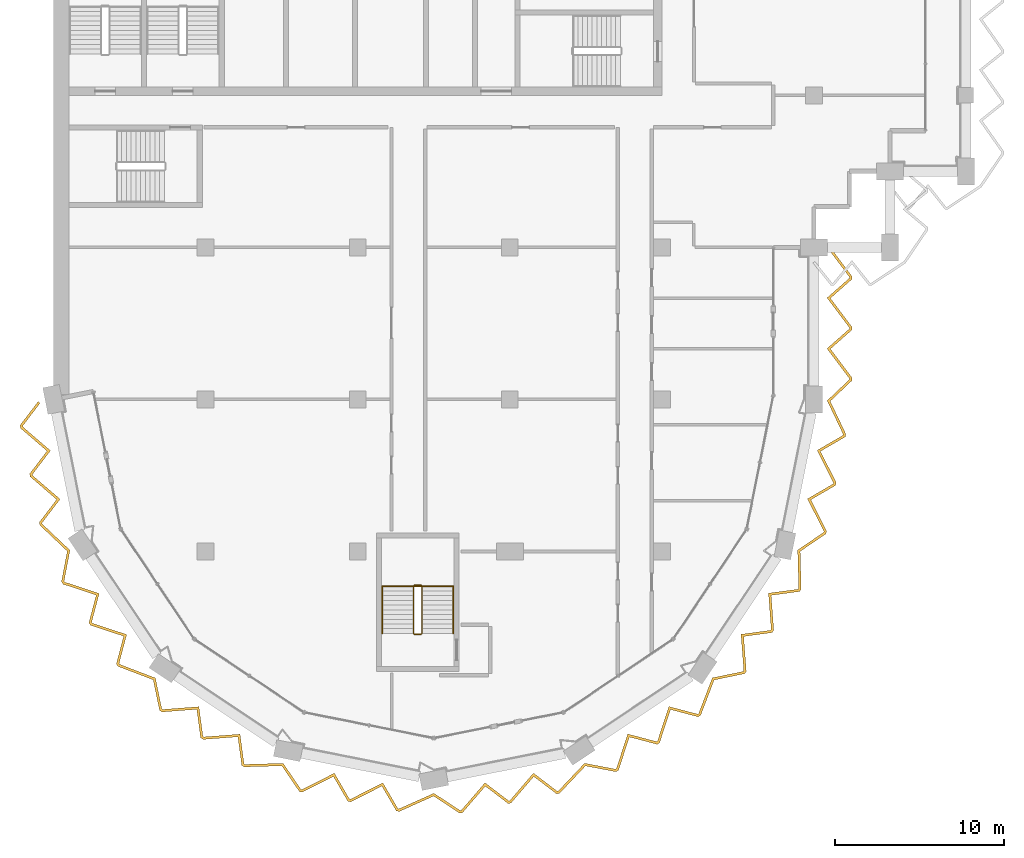
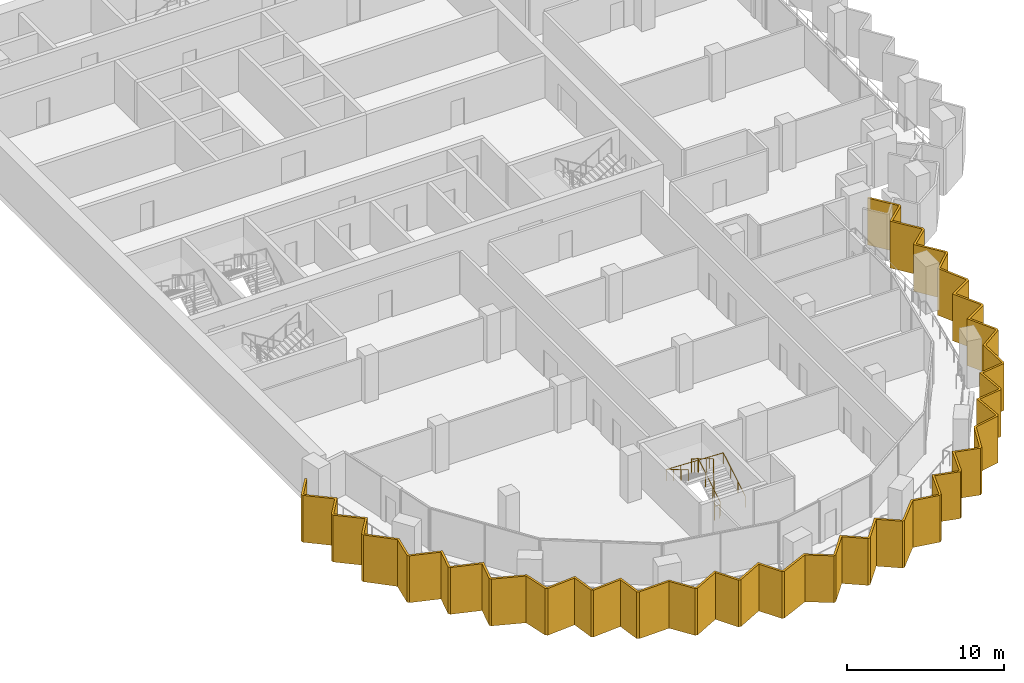
# One storey, part 13 of 16: 2 railings, 1 shading device.
"""IFC4 building model written with IfcOpenShell, lengths in metres."""

from ifc_helpers import new_model, si_unit, direction, frame, origin, origin_2d, place, context, subcontext, project, spatial, polyline, circle, outline, extrude, material, layer, layer_set, type_object, element, save


model = new_model("IFC4")

# Units and contexts
model_context = context("Model", 3, precision=1e-05, world=origin(), true_north=direction((0.0, 1.0)))
body_context = subcontext(model_context, "Body", "Model", "MODEL_VIEW")
ifc_project = project(units=[si_unit("LENGTHUNIT", "METRE"), si_unit("AREAUNIT", "SQUARE_METRE"), si_unit("VOLUMEUNIT", "CUBIC_METRE"), si_unit("PLANEANGLEUNIT", "RADIAN"), si_unit("MASSUNIT", "GRAM", prefix="KILO")], contexts=[model_context])

# Site, building, storey
site_placement = place(None, origin())
site = spatial("IfcSite", under=ifc_project, at=site_placement, CompositionType="ELEMENT")
building_placement = place(site_placement, origin())
building = spatial("IfcBuilding", under=site, at=building_placement, Name="Hunhe Ridgeline Campus", CompositionType="ELEMENT")
storey_placement = place(building_placement, frame((0.0, 0.0, 257.699951171875)))
storey = spatial("IfcBuildingStorey", under=building, at=storey_placement, Name="L66", CompositionType="ELEMENT", Elevation=257.699951171875)

# Shading device
ifc_material_1 = material(Name="Concrete C50", Category="concrete")
ifc_layer = layer(ifc_material_1, 0.14990234375)
ifc_layer_set = layer_set([ifc_layer], Name="Sawtooth concrete fin 150 Concrete C50")
shading_device_type = type_object("IfcShadingDeviceType", Name="Sawtooth concrete fin 150 Concrete C50", PredefinedType="USERDEFINED", material=ifc_layer_set)
shading_device_placement = place(storey_placement, frame((0.0, 0.0, -0.949951171875)))
element("IfcShadingDevice", 1, at=shading_device_placement, inside=storey, type_object=shading_device_type, Name="Concrete fin screen 1", ObjectType="FIN", PredefinedType="USERDEFINED", context=body_context, shape_type="SweptSolid", body=[
    extrude(outline(polyline([(-0.798583984375, 44.783935546875), (-0.917724609375, 44.874755859375), (-1.989501953125, 43.46923828125), (-1.95458984375, 43.29296875), (-0.389892578125, 41.948486328125), (-1.418701171875, 40.59912109375), (-1.383544921875, 40.4228515625), (0.18115234375, 39.078369140625), (-0.84765625, 37.72900390625), (-0.81298828125, 37.5546875), (0.80712890625, 36.02197265625), (0.462158203125, 34.21142578125), (0.560302734375, 34.064453125), (2.520263671875, 33.421142578125), (2.086181640625, 31.78076171875), (2.18603515625, 31.63134765625), (4.146240234375, 30.988037109375), (3.7119140625, 29.34765625), (3.810791015625, 29.19970703125), (5.89404296875, 28.40380859375), (6.268310546875, 26.59912109375), (6.4150390625, 26.5009765625), (8.47216796875, 26.65673828125), (8.698974609375, 24.97509765625), (8.848388671875, 24.875244140625), (10.905517578125, 25.03076171875), (11.132080078125, 23.34912109375), (11.27978515625, 23.25048828125), (13.50927734375, 23.312255859375), (14.545654296875, 21.7880859375), (14.71875, 21.753662109375), (16.559814453125, 22.684814453125), (17.41259765625, 21.2177734375), (17.5888671875, 21.182861328125), (19.429931640625, 22.11376953125), (20.28271484375, 20.64697265625), (20.45703125, 20.6123046875), (22.4931640625, 21.522705078125), (24.033935546875, 20.510986328125), (24.20703125, 20.54541015625), (25.551513671875, 22.110107421875), (26.90087890625, 21.081298828125), (27.0771484375, 21.116455078125), (28.421630859375, 22.68115234375), (29.77099609375, 21.65234375), (29.9453125, 21.68701171875), (31.47802734375, 23.30712890625), (33.28857421875, 22.962158203125), (33.435546875, 23.060302734375), (34.078857421875, 25.020263671875), (35.71923828125, 24.586181640625), (35.86865234375, 24.68603515625), (36.511962890625, 26.646240234375), (38.15234375, 26.2119140625), (38.30029296875, 26.310791015625), (39.09619140625, 28.39404296875), (40.90087890625, 28.768310546875), (40.9990234375, 28.9150390625), (40.84326171875, 30.97216796875), (42.52490234375, 31.198974609375), (42.624755859375, 31.348388671875), (42.46923828125, 33.405517578125), (44.15087890625, 33.632080078125), (44.24951171875, 33.77978515625), (44.187744140625, 36.00927734375), (45.7119140625, 37.045654296875), (45.746337890625, 37.21875), (44.815185546875, 39.059814453125), (46.2822265625, 39.91259765625), (46.317138671875, 40.0888671875), (45.38623046875, 41.929931640625), (46.85302734375, 42.78271484375), (46.887939453125, 42.9580078125), (45.966064453125, 44.89697265625), (47.25, 46.114990234375), (47.25, 46.292236328125), (45.9765625, 47.989501953125), (47.25, 49.11328125), (47.25, 49.292236328125), (45.9765625, 50.989501953125), (47.25, 52.11328125), (47.25, 52.292236328125), (45.93505859375, 54.044921875), (45.81494140625, 53.955078125), (47.10009765625, 52.2421875), (47.10009765625, 52.180908203125), (45.7734375, 51.010498046875), (47.10009765625, 49.2421875), (47.10009765625, 49.180908203125), (45.7734375, 48.010498046875), (47.10009765625, 46.2421875), (47.10009765625, 46.179443359375), (45.783935546875, 44.9306640625), (46.731201171875, 42.9384765625), (46.71923828125, 42.87841796875), (45.1884765625, 41.988525390625), (46.159912109375, 40.0673828125), (46.148193359375, 40.00830078125), (44.617431640625, 39.118408203125), (45.589111328125, 37.197265625), (45.57666015625, 37.135009765625), (44.035400390625, 36.087158203125), (44.098388671875, 33.823486328125), (44.063720703125, 33.771728515625), (42.308837890625, 33.53515625), (42.471435546875, 31.388671875), (42.43798828125, 31.338623046875), (40.68310546875, 31.10205078125), (40.845458984375, 28.95556640625), (40.810302734375, 28.90283203125), (38.9853515625, 28.5244140625), (38.177001953125, 26.408935546875), (38.125244140625, 26.374267578125), (36.41357421875, 26.827392578125), (35.7421875, 24.781982421875), (35.692138671875, 24.74853515625), (33.98046875, 25.20166015625), (33.30908203125, 23.15625), (33.25634765625, 23.12109375), (31.425537109375, 23.4697265625), (29.869384765625, 21.82470703125), (29.80810546875, 21.8125), (28.400146484375, 22.88623046875), (26.997314453125, 21.25341796875), (26.93798828125, 21.24169921875), (25.530029296875, 22.315185546875), (24.126953125, 20.6826171875), (24.06494140625, 20.670166015625), (22.5068359375, 21.693115234375), (20.439453125, 20.768798828125), (20.37841796875, 20.78076171875), (19.488525390625, 22.3115234375), (17.5673828125, 21.340087890625), (17.50830078125, 21.351806640625), (16.618408203125, 22.882568359375), (14.697265625, 21.910888671875), (14.635009765625, 21.92333984375), (13.587158203125, 23.464599609375), (11.323486328125, 23.401611328125), (11.271728515625, 23.436279296875), (11.03515625, 25.191162109375), (8.888671875, 25.028564453125), (8.838623046875, 25.06201171875), (8.60205078125, 26.81689453125), (6.45556640625, 26.654541015625), (6.40283203125, 26.689697265625), (6.0244140625, 28.5146484375), (3.908935546875, 29.322998046875), (3.874267578125, 29.374755859375), (4.327392578125, 31.08642578125), (2.281982421875, 31.7578125), (2.24853515625, 31.807861328125), (2.70166015625, 33.51953125), (0.65625, 34.19091796875), (0.62109375, 34.24365234375), (0.9697265625, 36.074462890625), (-0.67529296875, 37.630615234375), (-0.6875, 37.69189453125), (0.38623046875, 39.099853515625), (-1.24658203125, 40.502685546875), (-1.25830078125, 40.56201171875), (-0.184814453125, 41.969970703125), (-1.8173828125, 43.373046875), (-1.829345703125, 43.43212890625), (-0.798583984375, 44.783935546875)])), origin(), (0.0, 0.0, 1.0), 3.64990234375),
])

# Railings
ifc_material_2 = material(Name="Stainless steel balustrade", Category="steel")
railing_type_1 = type_object("IfcRailingType", Name="Stair guard 1100 stainless", PredefinedType="GUARDRAIL", material=ifc_material_2)
railing_1_placement = place(storey_placement, frame((21.800048828125, 31.14990234375, 0.168212890625)))
element("IfcRailing", 2, at=railing_1_placement, inside=storey, type_object=railing_type_1, Name="L66 stair W3 guard", PredefinedType="GUARDRAIL", context=body_context, shape_type="SweptSolid", body=[
    extrude(circle(Radius=0.02392578125, at=origin_2d()), frame((0.0, 0.0, 1.076171875), z_axis=(0.0, 0.857242210791, 0.514913383045), x_axis=(-1.0, 0.0, 0.0)), (0.0, 0.0, 1.0), 3.266357421875),
    extrude(circle(Radius=0.02392578125, at=origin_2d()), frame((0.0, 2.800048828125, 2.7578125), z_axis=(-0.707106781187, 0.707106781187, 0.0), x_axis=(-0.707106781187, -0.707106781187, 0.0)), (0.0, 0.0, 1.0), 0.07080078125),
    extrude(circle(Radius=0.02392578125, at=origin_2d()), frame((-0.050048828125, 2.85009765625, 2.7578125), z_axis=(-1.0, 0.0, 0.0), x_axis=(0.0, -1.0, 0.0)), (0.0, 0.0, 1.0), 0.39990234375),
    extrude(circle(Radius=0.02392578125, at=origin_2d()), frame((-0.449951171875, 2.85009765625, 2.7578125), z_axis=(-0.274243871929, -0.274243871929, 0.92172696468), x_axis=(0.707106781187, -0.707106781187, 0.0)), (0.0, 0.0, 1.0), 0.1826171875),
    extrude(circle(Radius=0.02392578125, at=origin_2d()), frame((-0.5, 2.800048828125, 2.92626953125), z_axis=(0.0, -0.857275202839, 0.514858452973), x_axis=(1.0, 0.0, 0.0)), (0.0, 0.0, 1.0), 3.26611328125),
    extrude(circle(Radius=0.02392578125, at=origin_2d()), frame((-0.5, 0.0, 4.60791015625), z_axis=(0.013524426427, -0.013458453615, -0.999817963389), x_axis=(0.705375805398, 0.708833529934, 0.0)), (0.0, 0.0, 1.0), 3.70068359375),
    extrude(circle(Radius=0.02392578125, at=origin_2d()), frame((-0.449951171875, -0.0498046875, 0.90771484375), z_axis=(1.0, 0.0, 0.0), x_axis=(0.0, 1.0, 0.0)), (0.0, 0.0, 1.0), 0.39990234375),
    extrude(circle(Radius=0.02099609375, at=origin_2d()), origin(), (0.0, 0.0, 1.0), 1.052001953125),
    extrude(circle(Radius=0.02099609375, at=origin_2d()), frame((0.0, 0.933349609375, 0.560546875)), (0.0, 0.0, 1.0), 1.052001953125),
    extrude(circle(Radius=0.02099609375, at=origin_2d()), frame((0.0, 1.86669921875, 1.121337890625)), (0.0, 0.0, 1.0), 1.052001953125),
    extrude(circle(Radius=0.02099609375, at=origin_2d()), frame((0.0, 2.800048828125, 1.681884765625)), (0.0, 0.0, 1.0), 1.052001953125),
    extrude(circle(Radius=0.02099609375, at=origin_2d()), frame((-0.050048828125, 2.85009765625, 1.681884765625)), (0.0, 0.0, 1.0), 1.052001953125),
    extrude(circle(Radius=0.02099609375, at=origin_2d()), frame((-0.449951171875, 2.85009765625, 1.681884765625)), (0.0, 0.0, 1.0), 1.052001953125),
    extrude(circle(Radius=0.02099609375, at=origin_2d()), frame((-0.5, 2.800048828125, 1.85009765625)), (0.0, 0.0, 1.0), 1.052001953125),
    extrude(circle(Radius=0.02099609375, at=origin_2d()), frame((-0.5, 1.86669921875, 2.41064453125)), (0.0, 0.0, 1.0), 1.052001953125),
    extrude(circle(Radius=0.02099609375, at=origin_2d()), frame((-0.5, 0.933349609375, 2.97119140625)), (0.0, 0.0, 1.0), 1.052001953125),
    extrude(circle(Radius=0.02099609375, at=origin_2d()), frame((-0.5, 0.0, 3.53173828125)), (0.0, 0.0, 1.0), 1.052001953125),
    extrude(circle(Radius=0.02099609375, at=origin_2d()), frame((-0.487548828125, -0.012451171875, 2.606689453125)), (0.0, 0.0, 1.0), 1.052001953125),
    extrude(circle(Radius=0.02099609375, at=origin_2d()), frame((-0.47509765625, -0.02490234375, 1.681640625)), (0.0, 0.0, 1.0), 1.052001953125),
    extrude(circle(Radius=0.02099609375, at=origin_2d()), frame((-0.46240234375, -0.037353515625, 0.7568359375)), (0.0, 0.0, 1.0), 1.052001953125),
    extrude(circle(Radius=0.02099609375, at=origin_2d()), frame((-0.449951171875, -0.0498046875, -0.168212890625)), (0.0, 0.0, 1.0), 1.052001953125),
    extrude(circle(Radius=0.02099609375, at=origin_2d()), frame((-0.050048828125, -0.0498046875, -0.168212890625)), (0.0, 0.0, 1.0), 1.052001953125),
])
ifc_material_3 = material(Name="Stainless steel handrail", Category="steel")
railing_type_2 = type_object("IfcRailingType", Name="Stair handrail 900 stainless", PredefinedType="HANDRAIL", material=ifc_material_3)
railing_2_placement = place(storey_placement, frame((23.64990234375, 31.14990234375, 0.168212890625)))
element("IfcRailing", 3, at=railing_2_placement, inside=storey, type_object=railing_type_2, Name="L66 stair W3 handrail", PredefinedType="HANDRAIL", context=body_context, shape_type="SweptSolid", body=[
    extrude(circle(Radius=0.02392578125, at=origin_2d()), frame((0.0, 0.0, 0.8759765625), z_axis=(0.0, 0.857242210791, 0.514913383045), x_axis=(-1.0, 0.0, 0.0)), (0.0, 0.0, 1.0), 3.266357421875),
    extrude(circle(Radius=0.02392578125, at=origin_2d()), frame((0.0, 2.800048828125, 2.5576171875), z_axis=(-0.999198916169, 0.0, 0.040019069537), x_axis=(0.0, -1.0, 0.0)), (0.0, 0.0, 1.0), 4.203369140625),
    extrude(circle(Radius=0.02392578125, at=origin_2d()), frame((-4.199951171875, 2.800048828125, 2.72607421875), z_axis=(0.0, -0.857275202839, 0.514858452973), x_axis=(1.0, 0.0, 0.0)), (0.0, 0.0, 1.0), 3.26611328125),
    extrude(circle(Radius=0.02099609375, at=origin_2d()), origin(), (0.0, 0.0, 1.0), 0.851806640625),
    extrude(circle(Radius=0.02099609375, at=origin_2d()), frame((0.0, 0.933349609375, 0.560546875)), (0.0, 0.0, 1.0), 0.851806640625),
    extrude(circle(Radius=0.02099609375, at=origin_2d()), frame((0.0, 1.86669921875, 1.121337890625)), (0.0, 0.0, 1.0), 0.851806640625),
    extrude(circle(Radius=0.02099609375, at=origin_2d()), frame((0.0, 2.800048828125, 1.681884765625)), (0.0, 0.0, 1.0), 0.851806640625),
    extrude(circle(Radius=0.02099609375, at=origin_2d()), frame((-1.050048828125, 2.800048828125, 1.723876953125)), (0.0, 0.0, 1.0), 0.851806640625),
    extrude(circle(Radius=0.02099609375, at=origin_2d()), frame((-2.10009765625, 2.800048828125, 1.76611328125)), (0.0, 0.0, 1.0), 0.851806640625),
    extrude(circle(Radius=0.02099609375, at=origin_2d()), frame((-3.14990234375, 2.800048828125, 1.80810546875)), (0.0, 0.0, 1.0), 0.851806640625),
    extrude(circle(Radius=0.02099609375, at=origin_2d()), frame((-4.199951171875, 2.800048828125, 1.85009765625)), (0.0, 0.0, 1.0), 0.851806640625),
    extrude(circle(Radius=0.02099609375, at=origin_2d()), frame((-4.199951171875, 1.86669921875, 2.41064453125)), (0.0, 0.0, 1.0), 0.851806640625),
    extrude(circle(Radius=0.02099609375, at=origin_2d()), frame((-4.199951171875, 0.933349609375, 2.97119140625)), (0.0, 0.0, 1.0), 0.851806640625),
    extrude(circle(Radius=0.02099609375, at=origin_2d()), frame((-4.199951171875, 0.0, 3.53173828125)), (0.0, 0.0, 1.0), 0.851806640625),
])

save(model, "model.ifc")
